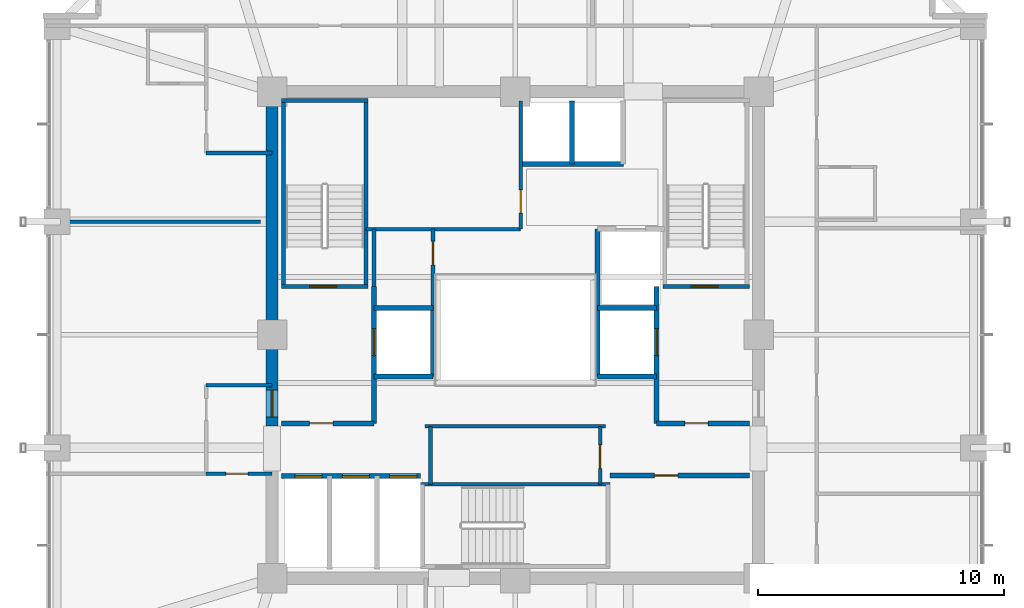
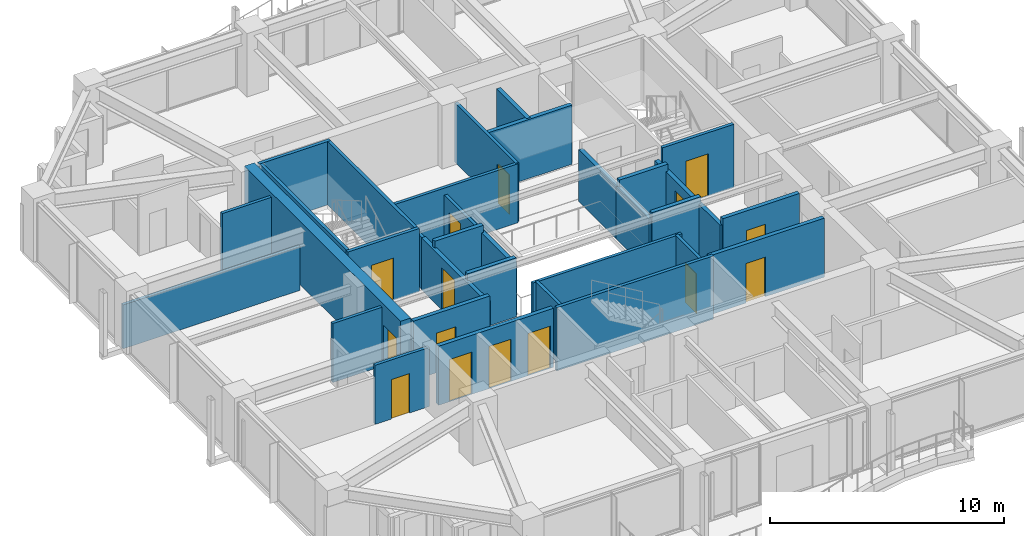
# One storey, part 26 of 31: 33 walls, 15 doors, 15 openings.
"""IFC4 building model written with IfcOpenShell, lengths in metres."""

from ifc_helpers import new_model, si_unit, direction, frame, frame_2d, origin, place, context, subcontext, project, spatial, rectangle, extrude, material, layer, layer_set, type_object, element, fill, save


model = new_model("IFC4")

# Units and contexts
model_context = context("Model", 3, precision=1e-05, world=origin(), true_north=direction((0.0, 1.0)))
body_context = subcontext(model_context, "Body", "Model", "MODEL_VIEW")
ifc_project = project(units=[si_unit("LENGTHUNIT", "METRE"), si_unit("AREAUNIT", "SQUARE_METRE"), si_unit("VOLUMEUNIT", "CUBIC_METRE"), si_unit("PLANEANGLEUNIT", "RADIAN"), si_unit("MASSUNIT", "GRAM", prefix="KILO")], contexts=[model_context])

# Site, building, storey
site_placement = place(None, origin())
site = spatial("IfcSite", under=ifc_project, at=site_placement, CompositionType="ELEMENT")
building_placement = place(site_placement, origin())
building = spatial("IfcBuilding", under=site, at=building_placement, Name="Kolvaren Belvedere", CompositionType="ELEMENT")
storey_placement = place(building_placement, frame((0.0, 0.0, 118.39990234375)))
storey = spatial("IfcBuildingStorey", under=building, at=storey_placement, Name="L34", CompositionType="ELEMENT", Elevation=118.39990234375)

# Wall, opening, door
ifc_material_1 = material(Name="Concrete C50/60", Category="concrete")
ifc_layer_1 = layer(ifc_material_1, 0.5)
ifc_layer_set_1 = layer_set([ifc_layer_1], Name="Concrete C50/60")
wall_type_1 = type_object("IfcWallType", Name="CW-CORE-500", PredefinedType="SHEAR", material=ifc_layer_set_1)
wall_1_placement = place(storey_placement, frame((-9.89990234375, -3.699951171875, 0.0), z_axis=(0.0, 0.0, 1.0), x_axis=(0.0, 1.0, 0.0)))
wall_1 = element("IfcWall", 1, at=wall_1_placement, inside=storey, type_object=wall_type_1, Name="L34 West Core Shear Wall 2", PredefinedType="SHEAR", context=body_context, shape_type="SweptSolid", body=[
    extrude(rectangle(XDim=13.349853515625, YDim=0.5, at=frame_2d((6.6748046875, 0.0))), origin(), (0.0, 0.0, 1.0), 3.300048828125),
])
opening_1_placement = place(wall_1_placement, frame((0.35009765625, 0.0, 0.0)))
opening_1 = element("IfcOpeningElement", 2, at=opening_1_placement, cuts=wall_1, Name="Opening D-FD90", PredefinedType="OPENING", context=body_context, shape_type="SweptSolid", body=[
    extrude(rectangle(XDim=1.10009765625, YDim=2.199951171875, at=frame_2d((0.550048828125, 1.10009765625))), frame((0.0, 0.260009765625, 0.0), z_axis=(0.0, -1.0, 0.0), x_axis=(1.0, 0.0, 0.0)), (0.0, 0.0, 1.0), 0.52001953125),
])
ifc_material_2 = material(Name="Painted hollow stainless steel", Category="steel")
door_type_1 = type_object("IfcDoorType", Name="DR-FD90-1100", OperationType="NOTDEFINED", PredefinedType="DOOR", material=ifc_material_2)
door_1_placement = place(opening_1_placement, origin())
door_1 = element("IfcDoor", 3, at=door_1_placement, inside=storey, type_object=door_type_1, Name="L34 West Firefighting Lobby Fire Door", OperationType="SINGLE_SWING_LEFT", OverallHeight=2.199951171875, OverallWidth=1.10009765625, PredefinedType="DOOR", context=body_context, shape_type="SweptSolid", body=[
    extrude(rectangle(XDim=1.10009765625, YDim=2.199951171875, at=frame_2d((0.550048828125, 1.10009765625))), frame((0.0, 0.02490234375, 0.0), z_axis=(0.0, -1.0, 0.0), x_axis=(1.0, 0.0, 0.0)), (0.0, 0.0, 1.0), 0.050048828125),
])
fill(opening_1, door_1)

ifc_material_3 = material(Name="Concrete C50/60", Category="concrete")
ifc_layer_2 = layer(ifc_material_3, 0.159912109375)
ifc_layer_set_2 = layer_set([ifc_layer_2], Name="Concrete C50/60")
wall_type_2 = type_object("IfcWallType", Name="CW-STAIR-160", PredefinedType="SHEAR", material=ifc_layer_set_2)
wall_2_placement = place(storey_placement, frame((-9.52001953125, 1.969970703125, 0.0), z_axis=(0.0, 0.0, 1.0), x_axis=(1.0, 0.0, 0.0)))
wall_2 = element("IfcWall", 4, at=wall_2_placement, inside=storey, type_object=wall_type_2, Name="L34 Stair ST-1 South Shear Wall", PredefinedType="SHEAR", context=body_context, shape_type="SweptSolid", body=[
    extrude(rectangle(XDim=3.52001953125, YDim=0.159912109375, at=frame_2d((1.760009765625, 0.0))), origin(), (0.0, 0.0, 1.0), 3.300048828125),
])
opening_2_placement = place(wall_2_placement, frame((1.14990234375, 0.0, 0.0)))
opening_2 = element("IfcOpeningElement", 5, at=opening_2_placement, cuts=wall_2, Name="Opening D-FD90", PredefinedType="OPENING", context=body_context, shape_type="SweptSolid", body=[
    extrude(rectangle(XDim=1.10009765625, YDim=2.199951171875, at=frame_2d((0.550048828125, 1.10009765625))), frame((0.0, 0.08984375, 0.0), z_axis=(0.0, -1.0, 0.0), x_axis=(1.0, 0.0, 0.0)), (0.0, 0.0, 1.0), 0.179931640625),
])
door_2_placement = place(opening_2_placement, origin())
door_2 = element("IfcDoor", 6, at=door_2_placement, inside=storey, type_object=door_type_1, Name="L34 Stair ST-1 Fire Door", OperationType="SINGLE_SWING_LEFT", OverallHeight=2.199951171875, OverallWidth=1.10009765625, PredefinedType="DOOR", context=body_context, shape_type="SweptSolid", body=[
    extrude(rectangle(XDim=1.10009765625, YDim=2.199951171875, at=frame_2d((0.550048828125, 1.10009765625))), frame((0.0, 0.02490234375, 0.0), z_axis=(0.0, -1.0, 0.0), x_axis=(1.0, 0.0, 0.0)), (0.0, 0.0, 1.0), 0.050048828125),
])
fill(opening_2, door_2)

# Walls
wall_3_placement = place(storey_placement, frame((-9.52001953125, 9.530029296875, 0.0), z_axis=(0.0, 0.0, 1.0), x_axis=(1.0, 0.0, 0.0)))
element("IfcWall", 7, at=wall_3_placement, inside=storey, type_object=wall_type_2, Name="L34 Stair ST-1 North Shear Wall", PredefinedType="SHEAR", context=body_context, shape_type="SweptSolid", body=[
    extrude(rectangle(XDim=3.52001953125, YDim=0.159912109375, at=frame_2d((1.760009765625, 0.0))), origin(), (0.0, 0.0, 1.0), 3.300048828125),
])
for number, where, z_axis, x_axis, name in (
    (8, (-9.429931640625, 1.969970703125, 0.0), (0.0, 0.0, 1.0), (0.0, 1.0, 0.0), "L34 Stair ST-1 West Shear Wall"),
    (9, (-6.080078125, 1.969970703125, 0.0), (0.0, 0.0, 1.0), (0.0, 1.0, 0.0), "L34 Stair ST-1 East Shear Wall"),
):
    element("IfcWall", number, at=place(storey_placement, frame(where, z_axis=z_axis, x_axis=x_axis)), inside=storey, type_object=wall_type_2, Name=name, PredefinedType="SHEAR", context=body_context, shape_type="SweptSolid", body=[
        extrude(rectangle(XDim=7.56005859375, YDim=0.159912109375, at=frame_2d((3.780029296875, 0.0))), origin(), (0.0, 0.0, 1.0), 3.300048828125),
    ])

# Wall, opening, door
wall_4_placement = place(storey_placement, frame((6.0, 1.969970703125, 0.0), z_axis=(0.0, 0.0, 1.0), x_axis=(1.0, 0.0, 0.0)))
wall_4 = element("IfcWall", 10, at=wall_4_placement, inside=storey, type_object=wall_type_2, Name="L34 Stair ST-2 South Shear Wall", PredefinedType="SHEAR", context=body_context, shape_type="SweptSolid", body=[
    extrude(rectangle(XDim=3.52001953125, YDim=0.159912109375, at=frame_2d((1.760009765625, 0.0))), origin(), (0.0, 0.0, 1.0), 3.300048828125),
])
opening_3_placement = place(wall_4_placement, frame((1.14990234375, 0.0, 0.0)))
opening_3 = element("IfcOpeningElement", 11, at=opening_3_placement, cuts=wall_4, Name="Opening D-FD90", PredefinedType="OPENING", context=body_context, shape_type="SweptSolid", body=[
    extrude(rectangle(XDim=1.10009765625, YDim=2.199951171875, at=frame_2d((0.550048828125, 1.10009765625))), frame((0.0, 0.08984375, 0.0), z_axis=(0.0, -1.0, 0.0), x_axis=(1.0, 0.0, 0.0)), (0.0, 0.0, 1.0), 0.179931640625),
])
door_3_placement = place(opening_3_placement, origin())
door_3 = element("IfcDoor", 12, at=door_3_placement, inside=storey, type_object=door_type_1, Name="L34 Stair ST-2 Fire Door", OperationType="SINGLE_SWING_RIGHT", OverallHeight=2.199951171875, OverallWidth=1.10009765625, PredefinedType="DOOR", context=body_context, shape_type="SweptSolid", body=[
    extrude(rectangle(XDim=1.10009765625, YDim=2.199951171875, at=frame_2d((0.550048828125, 1.10009765625))), frame((0.0, 0.02490234375, 0.0), z_axis=(0.0, -1.0, 0.0), x_axis=(1.0, 0.0, 0.0)), (0.0, 0.0, 1.0), 0.050048828125),
])
fill(opening_3, door_3)

# Walls
wall_5_placement = place(storey_placement, frame((-3.860107421875, -6.080078125, 0.0), z_axis=(0.0, 0.0, 1.0), x_axis=(1.0, 0.0, 0.0)))
element("IfcWall", 13, at=wall_5_placement, inside=storey, type_object=wall_type_2, Name="L34 Stair ST-3 North Shear Wall", PredefinedType="SHEAR", context=body_context, shape_type="SweptSolid", body=[
    extrude(rectangle(XDim=7.72021484375, YDim=0.159912109375, at=frame_2d((3.860107421875, 0.0))), origin(), (0.0, 0.0, 1.0), 3.300048828125),
])
ifc_material_4 = material(Name="Gypsum fire-rated partition assembly", Category="gypsum")
ifc_layer_3 = layer(ifc_material_4, 0.14990234375)
ifc_layer_set_3 = layer_set([ifc_layer_3], Name="Gypsum fire-rated partition assembly")
wall_type_3 = type_object("IfcWallType", Name="WL-CORR-150", PredefinedType="PARTITIONING", material=ifc_layer_set_3)
for number, where, z_axis, x_axis, name in (
    (14, (-12.580078125, 7.39990234375, 0.0), (0.0, 0.0, 1.0), (1.0, 0.0, 0.0), "L34 NW Core Closure Wall"),
    (15, (-12.580078125, -2.050048828125, 0.0), (0.0, 0.0, 1.0), (1.0, 0.0, 0.0), "L34 West Pocket North Closure Wall"),
):
    element("IfcWall", number, at=place(storey_placement, frame(where, z_axis=z_axis, x_axis=x_axis)), inside=storey, type_object=wall_type_3, Name=name, PredefinedType="PARTITIONING", context=body_context, shape_type="SweptSolid", body=[
        extrude(rectangle(XDim=2.68017578125, YDim=0.14990234375, at=frame_2d((1.340087890625, 0.0))), origin(), (0.0, 0.0, 1.0), 3.080078125),
    ])

# Wall, opening, door
wall_6_placement = place(storey_placement, frame((-12.580078125, -5.64990234375, 0.0), z_axis=(0.0, 0.0, 1.0), x_axis=(1.0, 0.0, 0.0)))
wall_6 = element("IfcWall", 16, at=wall_6_placement, inside=storey, type_object=wall_type_3, Name="L34 West Pocket South Closure Wall", PredefinedType="PARTITIONING", context=body_context, shape_type="SweptSolid", body=[
    extrude(rectangle(XDim=2.68017578125, YDim=0.14990234375, at=frame_2d((1.340087890625, 0.0))), origin(), (0.0, 0.0, 1.0), 3.080078125),
])
opening_4_placement = place(wall_6_placement, frame((0.80615234375, 0.0, 0.0)))
opening_4 = element("IfcOpeningElement", 17, at=opening_4_placement, cuts=wall_6, Name="Opening D-INT90", PredefinedType="OPENING", context=body_context, shape_type="SweptSolid", body=[
    extrude(rectangle(XDim=0.89990234375, YDim=2.06005859375, at=frame_2d((0.449951171875, 1.030029296875))), frame((0.0, 0.0849609375, 0.0), z_axis=(0.0, -1.0, 0.0), x_axis=(1.0, 0.0, 0.0)), (0.0, 0.0, 1.0), 0.169921875),
])
ifc_material_5 = material(Name="Stained Pacific white oak", Category="timber")
door_type_2 = type_object("IfcDoorType", Name="DR-INT-900", OperationType="NOTDEFINED", PredefinedType="DOOR", material=ifc_material_5)
door_4_placement = place(opening_4_placement, origin())
door_4 = element("IfcDoor", 18, at=door_4_placement, inside=storey, type_object=door_type_2, Name="L34 Lounge 3408 Door", OperationType="SINGLE_SWING_RIGHT", OverallHeight=2.06005859375, OverallWidth=0.89990234375, PredefinedType="DOOR", context=body_context, shape_type="SweptSolid", body=[
    extrude(rectangle(XDim=0.89990234375, YDim=2.06005859375, at=frame_2d((0.449951171875, 1.030029296875))), frame((0.0, 0.02490234375, 0.0), z_axis=(0.0, -1.0, 0.0), x_axis=(1.0, 0.0, 0.0)), (0.0, 0.0, 1.0), 0.050048828125),
])
fill(opening_4, door_4)

# Wall
ifc_material_6 = material(Name="Gypsum acoustic partition assembly", Category="gypsum")
ifc_layer_4 = layer(ifc_material_6, 0.14990234375)
ifc_layer_set_4 = layer_set([ifc_layer_4], Name="Gypsum acoustic partition assembly")
wall_type_4 = type_object("IfcWallType", Name="WL-PART-150", PredefinedType="PARTITIONING", material=ifc_layer_set_4)
wall_7_placement = place(storey_placement, frame((-6.080078125, 4.300048828125, 0.0), z_axis=(0.0, 0.0, 1.0), x_axis=(1.0, 0.0, 0.0)))
element("IfcWall", 19, at=wall_7_placement, inside=storey, type_object=wall_type_4, Name="L34 Reclaimed Salon South Wall", PredefinedType="PARTITIONING", context=body_context, shape_type="SweptSolid", body=[
    extrude(rectangle(XDim=6.300048828125, YDim=0.14990234375, at=frame_2d((3.14990234375, 0.0))), origin(), (0.0, 0.0, 1.0), 3.080078125),
])

# Wall, opening, door
wall_8_placement = place(storey_placement, frame((0.219970703125, 4.300048828125, 0.0), z_axis=(0.0, 0.0, 1.0), x_axis=(0.0, 1.0, 0.0)))
wall_8 = element("IfcWall", 20, at=wall_8_placement, inside=storey, type_object=wall_type_4, Name="L34 Reclaimed Salon East Wall", PredefinedType="PARTITIONING", context=body_context, shape_type="SweptSolid", body=[
    extrude(rectangle(XDim=5.219970703125, YDim=0.14990234375, at=frame_2d((2.60986328125, 0.0))), origin(), (0.0, 0.0, 1.0), 3.080078125),
])
opening_5_placement = place(wall_8_placement, frame((0.64990234375, 0.0, 0.0)))
opening_5 = element("IfcOpeningElement", 21, at=opening_5_placement, cuts=wall_8, Name="Opening D-INT95", PredefinedType="OPENING", context=body_context, shape_type="SweptSolid", body=[
    extrude(rectangle(XDim=0.949951171875, YDim=2.06005859375, at=frame_2d((0.47509765625, 1.030029296875))), frame((0.0, 0.0849609375, 0.0), z_axis=(0.0, -1.0, 0.0), x_axis=(1.0, 0.0, 0.0)), (0.0, 0.0, 1.0), 0.169921875),
])
ifc_material_7 = material(Name="Stained Pacific white oak", Category="timber")
door_type_3 = type_object("IfcDoorType", Name="DR-INT-950", OperationType="NOTDEFINED", PredefinedType="DOOR", material=ifc_material_7)
door_5_placement = place(opening_5_placement, origin())
door_5 = element("IfcDoor", 22, at=door_5_placement, inside=storey, type_object=door_type_3, Name="L34 Botanical Reading Salon Door", OperationType="SINGLE_SWING_LEFT", OverallHeight=2.06005859375, OverallWidth=0.949951171875, PredefinedType="DOOR", context=body_context, shape_type="SweptSolid", body=[
    extrude(rectangle(XDim=0.949951171875, YDim=2.06005859375, at=frame_2d((0.47509765625, 1.030029296875))), frame((0.0, 0.02490234375, 0.0), z_axis=(0.0, -1.0, 0.0), x_axis=(1.0, 0.0, 0.0)), (0.0, 0.0, 1.0), 0.050048828125),
])
fill(opening_5, door_5)

# Wall
wall_9_placement = place(storey_placement, frame((-3.679931640625, -3.719970703125, 0.0), z_axis=(0.0, 0.0, 1.0), x_axis=(1.0, 0.0, 0.0)))
element("IfcWall", 23, at=wall_9_placement, inside=storey, type_object=wall_type_4, Name="L34 South Core Service North Wall", PredefinedType="PARTITIONING", context=body_context, shape_type="SweptSolid", body=[
    extrude(rectangle(XDim=7.35986328125, YDim=0.14990234375, at=frame_2d((3.679931640625, 0.0))), origin(), (0.0, 0.0, 1.0), 3.080078125),
])

# Wall, opening, door
wall_10_placement = place(storey_placement, frame((3.449951171875, -6.080078125, 0.0), z_axis=(0.0, 0.0, 1.0), x_axis=(0.0, 1.0, 0.0)))
wall_10 = element("IfcWall", 24, at=wall_10_placement, inside=storey, type_object=wall_type_4, Name="L34 South Core Service East Wall", PredefinedType="PARTITIONING", context=body_context, shape_type="SweptSolid", body=[
    extrude(rectangle(XDim=2.360107421875, YDim=0.14990234375, at=frame_2d((1.18017578125, 0.0))), origin(), (0.0, 0.0, 1.0), 3.080078125),
])
opening_6_placement = place(wall_10_placement, frame((0.64990234375, 0.0, 0.0)))
opening_6 = element("IfcOpeningElement", 25, at=opening_6_placement, cuts=wall_10, Name="Opening D-FD60", PredefinedType="OPENING", context=body_context, shape_type="SweptSolid", body=[
    extrude(rectangle(XDim=0.949951171875, YDim=2.06005859375, at=frame_2d((0.47509765625, 1.030029296875))), frame((0.0, 0.0849609375, 0.0), z_axis=(0.0, -1.0, 0.0), x_axis=(1.0, 0.0, 0.0)), (0.0, 0.0, 1.0), 0.169921875),
])
ifc_material_8 = material(Name="Acoustic white-oak fire door leaf", Category="timber")
door_type_4 = type_object("IfcDoorType", Name="DR-FD60-950", OperationType="NOTDEFINED", PredefinedType="DOOR", material=ifc_material_8)
door_6_placement = place(opening_6_placement, origin())
door_6 = element("IfcDoor", 26, at=door_6_placement, inside=storey, type_object=door_type_4, Name="L34 Core Service Room Door", OperationType="SINGLE_SWING_LEFT", OverallHeight=2.06005859375, OverallWidth=0.949951171875, PredefinedType="DOOR", context=body_context, shape_type="SweptSolid", body=[
    extrude(rectangle(XDim=0.949951171875, YDim=2.06005859375, at=frame_2d((0.47509765625, 1.030029296875))), frame((0.0, 0.02490234375, 0.0), z_axis=(0.0, -1.0, 0.0), x_axis=(1.0, 0.0, 0.0)), (0.0, 0.0, 1.0), 0.050048828125),
])
fill(opening_6, door_6)

# Wall
wall_11_placement = place(storey_placement, frame((-3.449951171875, -6.080078125, 0.0), z_axis=(0.0, 0.0, 1.0), x_axis=(0.0, 1.0, 0.0)))
element("IfcWall", 27, at=wall_11_placement, inside=storey, type_object=wall_type_4, Name="L34 South Core Service West Wall", PredefinedType="PARTITIONING", context=body_context, shape_type="SweptSolid", body=[
    extrude(rectangle(XDim=2.360107421875, YDim=0.14990234375, at=frame_2d((1.18017578125, 0.0))), origin(), (0.0, 0.0, 1.0), 3.080078125),
])

# Wall, opening, door
wall_12_placement = place(storey_placement, frame((-3.35009765625, 1.10009765625, 0.0), z_axis=(0.0, 0.0, 1.0), x_axis=(0.0, 1.0, 0.0)))
wall_12 = element("IfcWall", 28, at=wall_12_placement, inside=storey, type_object=wall_type_4, Name="L34 NW Service Room East Wall", PredefinedType="PARTITIONING", context=body_context, shape_type="SweptSolid", body=[
    extrude(rectangle(XDim=3.199951171875, YDim=0.14990234375, at=frame_2d((1.60009765625, 0.0))), origin(), (0.0, 0.0, 1.0), 2.715087890625),
])
opening_7_placement = place(wall_12_placement, frame((1.75, 0.0, 0.0)))
opening_7 = element("IfcOpeningElement", 29, at=opening_7_placement, cuts=wall_12, Name="Opening D-FD60", PredefinedType="OPENING", context=body_context, shape_type="SweptSolid", body=[
    extrude(rectangle(XDim=0.949951171875, YDim=2.06005859375, at=frame_2d((0.47509765625, 1.030029296875))), frame((0.0, 0.0849609375, 0.0), z_axis=(0.0, -1.0, 0.0), x_axis=(1.0, 0.0, 0.0)), (0.0, 0.0, 1.0), 0.169921875),
])
door_7_placement = place(opening_7_placement, origin())
door_7 = element("IfcDoor", 30, at=door_7_placement, inside=storey, type_object=door_type_4, Name="L34 NW Core Store Door", OperationType="SINGLE_SWING_LEFT", OverallHeight=2.06005859375, OverallWidth=0.949951171875, PredefinedType="DOOR", context=body_context, shape_type="SweptSolid", body=[
    extrude(rectangle(XDim=0.949951171875, YDim=2.06005859375, at=frame_2d((0.47509765625, 1.030029296875))), frame((0.0, 0.02490234375, 0.0), z_axis=(0.0, -1.0, 0.0), x_axis=(1.0, 0.0, 0.0)), (0.0, 0.0, 1.0), 0.050048828125),
])
fill(opening_7, door_7)

# Walls
wall_13_placement = place(storey_placement, frame((-5.75, 1.969970703125, 0.0), z_axis=(0.0, 0.0, 1.0), x_axis=(0.0, 1.0, 0.0)))
element("IfcWall", 31, at=wall_13_placement, inside=storey, type_object=wall_type_4, Name="L34 NW Service Room West Wall", PredefinedType="PARTITIONING", context=body_context, shape_type="SweptSolid", body=[
    extrude(rectangle(XDim=2.330078125, YDim=0.14990234375, at=frame_2d((1.1650390625, 0.0))), origin(), (0.0, 0.0, 1.0), 2.715087890625),
])
wall_14_placement = place(storey_placement, frame((-19.080078125, 4.60009765625, 0.0), z_axis=(0.0, 0.0, 1.0), x_axis=(1.0, 0.0, 0.0)))
element("IfcWall", 32, at=wall_14_placement, inside=storey, type_object=wall_type_4, Name="L34 West Upper Suite Divider", PredefinedType="PARTITIONING", context=body_context, shape_type="SweptSolid", body=[
    extrude(rectangle(XDim=8.719970703125, YDim=0.14990234375, at=frame_2d((4.35986328125, 0.0))), origin(), (0.0, 0.0, 1.0), 2.2919921875),
])

# Wall, opening, door
ifc_material_9 = material(Name="Concrete C50/60", Category="concrete")
ifc_layer_5 = layer(ifc_material_9, 0.199951171875)
ifc_layer_set_5 = layer_set([ifc_layer_5], Name="Concrete C50/60")
wall_type_5 = type_object("IfcWallType", Name="WL-SHAFT-200", PredefinedType="SOLIDWALL", material=ifc_layer_set_5)
wall_15_placement = place(storey_placement, frame((-9.52001953125, -3.60009765625, 0.0), z_axis=(0.0, 0.0, 1.0), x_axis=(1.0, 0.0, 0.0)))
wall_15 = element("IfcWall", 33, at=wall_15_placement, inside=storey, type_object=wall_type_5, Name="L34 West FSAE Lobby South Wall", PredefinedType="SOLIDWALL", context=body_context, shape_type="SweptSolid", body=[
    extrude(rectangle(XDim=3.77001953125, YDim=0.199951171875, at=frame_2d((1.885009765625, 0.0))), origin(), (0.0, 0.0, 1.0), 3.080078125),
])
opening_8_placement = place(wall_15_placement, frame((1.14990234375, 0.0, 0.0)))
opening_8 = element("IfcOpeningElement", 34, at=opening_8_placement, cuts=wall_15, Name="Opening D-FD60", PredefinedType="OPENING", context=body_context, shape_type="SweptSolid", body=[
    extrude(rectangle(XDim=0.949951171875, YDim=2.06005859375, at=frame_2d((0.47509765625, 1.030029296875))), frame((0.0, 0.10986328125, 0.0), z_axis=(0.0, -1.0, 0.0), x_axis=(1.0, 0.0, 0.0)), (0.0, 0.0, 1.0), 0.219970703125),
])
door_8_placement = place(opening_8_placement, origin())
door_8 = element("IfcDoor", 35, at=door_8_placement, inside=storey, type_object=door_type_4, Name="L34 Mid-Rise Lift Lobby Fire Door", OperationType="SINGLE_SWING_LEFT", OverallHeight=2.06005859375, OverallWidth=0.949951171875, PredefinedType="DOOR", context=body_context, shape_type="SweptSolid", body=[
    extrude(rectangle(XDim=0.949951171875, YDim=2.06005859375, at=frame_2d((0.47509765625, 1.030029296875))), frame((0.0, 0.02490234375, 0.0), z_axis=(0.0, -1.0, 0.0), x_axis=(1.0, 0.0, 0.0)), (0.0, 0.0, 1.0), 0.050048828125),
])
fill(opening_8, door_8)

wall_16_placement = place(storey_placement, frame((-5.75, -3.60009765625, 0.0), z_axis=(0.0, 0.0, 1.0), x_axis=(0.0, 1.0, 0.0)))
wall_16 = element("IfcWall", 36, at=wall_16_placement, inside=storey, type_object=wall_type_5, Name="L34 FSAE FS1 Landing Wall", PredefinedType="SOLIDWALL", context=body_context, shape_type="SweptSolid", body=[
    extrude(rectangle(XDim=5.570068359375, YDim=0.199951171875, at=frame_2d((2.78515625, 0.0))), origin(), (0.0, 0.0, 1.0), 2.715087890625),
])
opening_9_placement = place(wall_16_placement, frame((2.75, 0.0, 0.0)))
opening_9 = element("IfcOpeningElement", 37, at=opening_9_placement, cuts=wall_16, Name="Opening LD-11", PredefinedType="OPENING", context=body_context, shape_type="SweptSolid", body=[
    extrude(rectangle(XDim=1.10009765625, YDim=2.199951171875, at=frame_2d((0.550048828125, 1.10009765625))), frame((0.0, 0.10986328125, 0.0), z_axis=(0.0, -1.0, 0.0), x_axis=(1.0, 0.0, 0.0)), (0.0, 0.0, 1.0), 0.219970703125),
])
ifc_material_10 = material(Name="Brushed stainless steel", Category="steel")
door_type_5 = type_object("IfcDoorType", Name="DR-LIFT-1100", OperationType="DOUBLE_DOOR_SLIDING", PredefinedType="DOOR", material=ifc_material_10)
door_9_placement = place(opening_9_placement, origin())
door_9 = element("IfcDoor", 38, at=door_9_placement, inside=storey, type_object=door_type_5, Name="L34 Firefighting Lift FS1 Landing Door", OperationType="DOUBLE_DOOR_SLIDING", OverallHeight=2.199951171875, OverallWidth=1.10009765625, PredefinedType="DOOR", context=body_context, shape_type="SweptSolid", body=[
    extrude(rectangle(XDim=1.10009765625, YDim=2.199951171875, at=frame_2d((0.550048828125, 1.10009765625))), frame((0.0, 0.02490234375, 0.0), z_axis=(0.0, -1.0, 0.0), x_axis=(1.0, 0.0, 0.0)), (0.0, 0.0, 1.0), 0.050048828125),
])
fill(opening_9, door_9)

# Walls
wall_17_placement = place(storey_placement, frame((-3.35009765625, -1.699951171875, 0.0), z_axis=(0.0, 0.0, 1.0), x_axis=(0.0, 1.0, 0.0)))
element("IfcWall", 39, at=wall_17_placement, inside=storey, type_object=wall_type_5, Name="L34 FSAE FS1 Back Wall", PredefinedType="SOLIDWALL", context=body_context, shape_type="SweptSolid", body=[
    extrude(rectangle(XDim=2.800048828125, YDim=0.199951171875, at=frame_2d((1.39990234375, 0.0))), origin(), (0.0, 0.0, 1.0), 2.715087890625),
])
for number, where, z_axis, x_axis, name in (
    (40, (-5.75, -1.699951171875, 0.0), (0.0, 0.0, 1.0), (1.0, 0.0, 0.0), "L34 FSAE FS1 South Wall"),
    (41, (-5.75, 1.10009765625, 0.0), (0.0, 0.0, 1.0), (1.0, 0.0, 0.0), "L34 FSAE FS1 North Wall"),
):
    element("IfcWall", number, at=place(storey_placement, frame(where, z_axis=z_axis, x_axis=x_axis)), inside=storey, type_object=wall_type_5, Name=name, PredefinedType="SOLIDWALL", context=body_context, shape_type="SweptSolid", body=[
        extrude(rectangle(XDim=2.39990234375, YDim=0.199951171875, at=frame_2d((1.199951171875, 0.0))), origin(), (0.0, 0.0, 1.0), 3.080078125),
    ])

# Wall, opening, door
wall_18_placement = place(storey_placement, frame((5.75, -3.60009765625, 0.0), z_axis=(0.0, 0.0, 1.0), x_axis=(1.0, 0.0, 0.0)))
wall_18 = element("IfcWall", 42, at=wall_18_placement, inside=storey, type_object=wall_type_5, Name="L34 East FSAE Lobby South Wall", PredefinedType="SOLIDWALL", context=body_context, shape_type="SweptSolid", body=[
    extrude(rectangle(XDim=3.77001953125, YDim=0.199951171875, at=frame_2d((1.885009765625, 0.0))), origin(), (0.0, 0.0, 1.0), 3.080078125),
])
opening_10_placement = place(wall_18_placement, frame((1.14990234375, 0.0, 0.0)))
opening_10 = element("IfcOpeningElement", 43, at=opening_10_placement, cuts=wall_18, Name="Opening D-FD60", PredefinedType="OPENING", context=body_context, shape_type="SweptSolid", body=[
    extrude(rectangle(XDim=0.949951171875, YDim=2.06005859375, at=frame_2d((0.47509765625, 1.030029296875))), frame((0.0, 0.10986328125, 0.0), z_axis=(0.0, -1.0, 0.0), x_axis=(1.0, 0.0, 0.0)), (0.0, 0.0, 1.0), 0.219970703125),
])
door_10_placement = place(opening_10_placement, origin())
door_10 = element("IfcDoor", 44, at=door_10_placement, inside=storey, type_object=door_type_4, Name="L34 SE Lift Lobby Fire Door", OperationType="SINGLE_SWING_RIGHT", OverallHeight=2.06005859375, OverallWidth=0.949951171875, PredefinedType="DOOR", context=body_context, shape_type="SweptSolid", body=[
    extrude(rectangle(XDim=0.949951171875, YDim=2.06005859375, at=frame_2d((0.47509765625, 1.030029296875))), frame((0.0, 0.02490234375, 0.0), z_axis=(0.0, -1.0, 0.0), x_axis=(1.0, 0.0, 0.0)), (0.0, 0.0, 1.0), 0.050048828125),
])
fill(opening_10, door_10)

wall_19_placement = place(storey_placement, frame((5.75, -3.60009765625, 0.0), z_axis=(0.0, 0.0, 1.0), x_axis=(0.0, 1.0, 0.0)))
wall_19 = element("IfcWall", 45, at=wall_19_placement, inside=storey, type_object=wall_type_5, Name="L34 FSAE FS2 Landing Wall", PredefinedType="SOLIDWALL", context=body_context, shape_type="SweptSolid", body=[
    extrude(rectangle(XDim=5.570068359375, YDim=0.199951171875, at=frame_2d((2.78515625, 0.0))), origin(), (0.0, 0.0, 1.0), 2.715087890625),
])
opening_11_placement = place(wall_19_placement, frame((2.75, 0.0, 0.0)))
opening_11 = element("IfcOpeningElement", 46, at=opening_11_placement, cuts=wall_19, Name="Opening LD-11", PredefinedType="OPENING", context=body_context, shape_type="SweptSolid", body=[
    extrude(rectangle(XDim=1.10009765625, YDim=2.199951171875, at=frame_2d((0.550048828125, 1.10009765625))), frame((0.0, 0.10986328125, 0.0), z_axis=(0.0, -1.0, 0.0), x_axis=(1.0, 0.0, 0.0)), (0.0, 0.0, 1.0), 0.219970703125),
])
door_11_placement = place(opening_11_placement, origin())
door_11 = element("IfcDoor", 47, at=door_11_placement, inside=storey, type_object=door_type_5, Name="L34 Firefighting Lift FS2 Landing Door", OperationType="DOUBLE_DOOR_SLIDING", OverallHeight=2.199951171875, OverallWidth=1.10009765625, PredefinedType="DOOR", context=body_context, shape_type="SweptSolid", body=[
    extrude(rectangle(XDim=1.10009765625, YDim=2.199951171875, at=frame_2d((0.550048828125, 1.10009765625))), frame((0.0, 0.02490234375, 0.0), z_axis=(0.0, -1.0, 0.0), x_axis=(1.0, 0.0, 0.0)), (0.0, 0.0, 1.0), 0.050048828125),
])
fill(opening_11, door_11)

# Walls
wall_20_placement = place(storey_placement, frame((3.35009765625, -1.699951171875, 0.0), z_axis=(0.0, 0.0, 1.0), x_axis=(0.0, 1.0, 0.0)))
element("IfcWall", 48, at=wall_20_placement, inside=storey, type_object=wall_type_5, Name="L34 FSAE FS2 Back Wall", PredefinedType="SOLIDWALL", context=body_context, shape_type="SweptSolid", body=[
    extrude(rectangle(XDim=2.800048828125, YDim=0.199951171875, at=frame_2d((1.39990234375, 0.0))), origin(), (0.0, 0.0, 1.0), 2.715087890625),
])
for number, where, z_axis, x_axis, name in (
    (49, (3.35009765625, -1.699951171875, 0.0), (0.0, 0.0, 1.0), (1.0, 0.0, 0.0), "L34 FSAE FS2 South Wall"),
    (50, (3.35009765625, 1.10009765625, 0.0), (0.0, 0.0, 1.0), (1.0, 0.0, 0.0), "L34 FSAE FS2 North Wall"),
):
    element("IfcWall", number, at=place(storey_placement, frame(where, z_axis=z_axis, x_axis=x_axis)), inside=storey, type_object=wall_type_5, Name=name, PredefinedType="SOLIDWALL", context=body_context, shape_type="SweptSolid", body=[
        extrude(rectangle(XDim=2.39990234375, YDim=0.199951171875, at=frame_2d((1.199951171875, 0.0))), origin(), (0.0, 0.0, 1.0), 3.080078125),
    ])
wall_21_placement = place(storey_placement, frame((3.35009765625, 1.10009765625, 0.0), z_axis=(0.0, 0.0, 1.0), x_axis=(0.0, 1.0, 0.0)))
element("IfcWall", 51, at=wall_21_placement, inside=storey, type_object=wall_type_5, Name="L34 Service Lift SV1 West Wall", PredefinedType="SOLIDWALL", context=body_context, shape_type="SweptSolid", body=[
    extrude(rectangle(XDim=3.199951171875, YDim=0.199951171875, at=frame_2d((1.60009765625, 0.0))), origin(), (0.0, 0.0, 1.0), 2.715087890625),
])
wall_22_placement = place(storey_placement, frame((0.219970703125, 6.949951171875, 0.0), z_axis=(0.0, 0.0, 1.0), x_axis=(1.0, 0.0, 0.0)))
element("IfcWall", 52, at=wall_22_placement, inside=storey, type_object=wall_type_5, Name="L34 Express Shuttle Hoistway Wall", PredefinedType="SOLIDWALL", context=body_context, shape_type="SweptSolid", body=[
    extrude(rectangle(XDim=4.179931640625, YDim=0.199951171875, at=frame_2d((2.08984375, 0.0))), origin(), (0.0, 0.0, 1.0), 3.080078125),
])
wall_23_placement = place(storey_placement, frame((2.31005859375, 6.949951171875, 0.0), z_axis=(0.0, 0.0, 1.0), x_axis=(0.0, 1.0, 0.0)))
element("IfcWall", 53, at=wall_23_placement, inside=storey, type_object=wall_type_5, Name="L34 Express Shuttle Divider", PredefinedType="SOLIDWALL", context=body_context, shape_type="SweptSolid", body=[
    extrude(rectangle(XDim=2.570068359375, YDim=0.199951171875, at=frame_2d((1.28515625, 0.0))), origin(), (0.0, 0.0, 1.0), 3.080078125),
])

# Wall, openings, doors
wall_24_placement = place(storey_placement, frame((-9.52001953125, -5.75, 0.0), z_axis=(0.0, 0.0, 1.0), x_axis=(1.0, 0.0, 0.0)))
wall_24 = element("IfcWall", 54, at=wall_24_placement, inside=storey, type_object=wall_type_5, Name="L34 Mid-Rise Lift Bank Front Wall", PredefinedType="SOLIDWALL", context=body_context, shape_type="SweptSolid", body=[
    extrude(rectangle(XDim=5.659912109375, YDim=0.199951171875, at=frame_2d((2.830078125, 0.0))), origin(), (0.0, 0.0, 1.0), 3.080078125),
])
opening_12_placement = place(wall_24_placement, frame((0.550048828125, 0.0, 0.0)))
opening_12 = element("IfcOpeningElement", 55, at=opening_12_placement, cuts=wall_24, Name="Opening LD-11", PredefinedType="OPENING", context=body_context, shape_type="SweptSolid", body=[
    extrude(rectangle(XDim=1.10009765625, YDim=2.199951171875, at=frame_2d((0.550048828125, 1.10009765625))), frame((0.0, 0.10986328125, 0.0), z_axis=(0.0, -1.0, 0.0), x_axis=(1.0, 0.0, 0.0)), (0.0, 0.0, 1.0), 0.219970703125),
])
opening_13_placement = place(wall_24_placement, frame((2.47998046875, 0.0, 0.0)))
opening_13 = element("IfcOpeningElement", 56, at=opening_13_placement, cuts=wall_24, Name="Opening LD-11", PredefinedType="OPENING", context=body_context, shape_type="SweptSolid", body=[
    extrude(rectangle(XDim=1.10009765625, YDim=2.199951171875, at=frame_2d((0.550048828125, 1.10009765625))), frame((0.0, 0.10986328125, 0.0), z_axis=(0.0, -1.0, 0.0), x_axis=(1.0, 0.0, 0.0)), (0.0, 0.0, 1.0), 0.219970703125),
])
opening_14_placement = place(wall_24_placement, frame((4.409912109375, 0.0, 0.0)))
opening_14 = element("IfcOpeningElement", 57, at=opening_14_placement, cuts=wall_24, Name="Opening LD-11", PredefinedType="OPENING", context=body_context, shape_type="SweptSolid", body=[
    extrude(rectangle(XDim=1.10009765625, YDim=2.199951171875, at=frame_2d((0.550048828125, 1.10009765625))), frame((0.0, 0.10986328125, 0.0), z_axis=(0.0, -1.0, 0.0), x_axis=(1.0, 0.0, 0.0)), (0.0, 0.0, 1.0), 0.219970703125),
])
door_12_placement = place(opening_12_placement, origin())
door_12 = element("IfcDoor", 58, at=door_12_placement, inside=storey, type_object=door_type_5, Name="L34 Passenger Lift P4 Landing Door", OperationType="DOUBLE_DOOR_SLIDING", OverallHeight=2.199951171875, OverallWidth=1.10009765625, PredefinedType="DOOR", context=body_context, shape_type="SweptSolid", body=[
    extrude(rectangle(XDim=1.10009765625, YDim=2.199951171875, at=frame_2d((0.550048828125, 1.10009765625))), frame((0.0, 0.02490234375, 0.0), z_axis=(0.0, -1.0, 0.0), x_axis=(1.0, 0.0, 0.0)), (0.0, 0.0, 1.0), 0.050048828125),
])
fill(opening_12, door_12)
door_13_placement = place(opening_13_placement, origin())
door_13 = element("IfcDoor", 59, at=door_13_placement, inside=storey, type_object=door_type_5, Name="L34 Passenger Lift P5 Landing Door", OperationType="DOUBLE_DOOR_SLIDING", OverallHeight=2.199951171875, OverallWidth=1.10009765625, PredefinedType="DOOR", context=body_context, shape_type="SweptSolid", body=[
    extrude(rectangle(XDim=1.10009765625, YDim=2.199951171875, at=frame_2d((0.550048828125, 1.10009765625))), frame((0.0, 0.02490234375, 0.0), z_axis=(0.0, -1.0, 0.0), x_axis=(1.0, 0.0, 0.0)), (0.0, 0.0, 1.0), 0.050048828125),
])
fill(opening_13, door_13)
door_14_placement = place(opening_14_placement, origin())
door_14 = element("IfcDoor", 60, at=door_14_placement, inside=storey, type_object=door_type_5, Name="L34 Passenger Lift P6 Landing Door", OperationType="DOUBLE_DOOR_SLIDING", OverallHeight=2.199951171875, OverallWidth=1.10009765625, PredefinedType="DOOR", context=body_context, shape_type="SweptSolid", body=[
    extrude(rectangle(XDim=1.10009765625, YDim=2.199951171875, at=frame_2d((0.550048828125, 1.10009765625))), frame((0.0, 0.02490234375, 0.0), z_axis=(0.0, -1.0, 0.0), x_axis=(1.0, 0.0, 0.0)), (0.0, 0.0, 1.0), 0.050048828125),
])
fill(opening_14, door_14)

# Wall, opening, door
wall_25_placement = place(storey_placement, frame((3.860107421875, -5.719970703125, 0.0), z_axis=(0.0, 0.0, 1.0), x_axis=(1.0, 0.0, 0.0)))
wall_25 = element("IfcWall", 61, at=wall_25_placement, inside=storey, type_object=wall_type_5, Name="L34 SE Core Distribution Wall", PredefinedType="SOLIDWALL", context=body_context, shape_type="SweptSolid", body=[
    extrude(rectangle(XDim=5.659912109375, YDim=0.199951171875, at=frame_2d((2.830078125, 0.0))), origin(), (0.0, 0.0, 1.0), 3.080078125),
])
opening_15_placement = place(wall_25_placement, frame((1.800048828125, 0.0, 0.0)))
opening_15 = element("IfcOpeningElement", 62, at=opening_15_placement, cuts=wall_25, Name="Opening D-FD60", PredefinedType="OPENING", context=body_context, shape_type="SweptSolid", body=[
    extrude(rectangle(XDim=0.949951171875, YDim=2.06005859375, at=frame_2d((0.47509765625, 1.030029296875))), frame((0.0, 0.10986328125, 0.0), z_axis=(0.0, -1.0, 0.0), x_axis=(1.0, 0.0, 0.0)), (0.0, 0.0, 1.0), 0.219970703125),
])
door_15_placement = place(opening_15_placement, origin())
door_15 = element("IfcDoor", 63, at=door_15_placement, inside=storey, type_object=door_type_4, Name="L34 Core Electrical & BMS Room Door", OperationType="SINGLE_SWING_RIGHT", OverallHeight=2.06005859375, OverallWidth=0.949951171875, PredefinedType="DOOR", context=body_context, shape_type="SweptSolid", body=[
    extrude(rectangle(XDim=0.949951171875, YDim=2.06005859375, at=frame_2d((0.47509765625, 1.030029296875))), frame((0.0, 0.02490234375, 0.0), z_axis=(0.0, -1.0, 0.0), x_axis=(1.0, 0.0, 0.0)), (0.0, 0.0, 1.0), 0.050048828125),
])
fill(opening_15, door_15)

save(model, "model.ifc")
